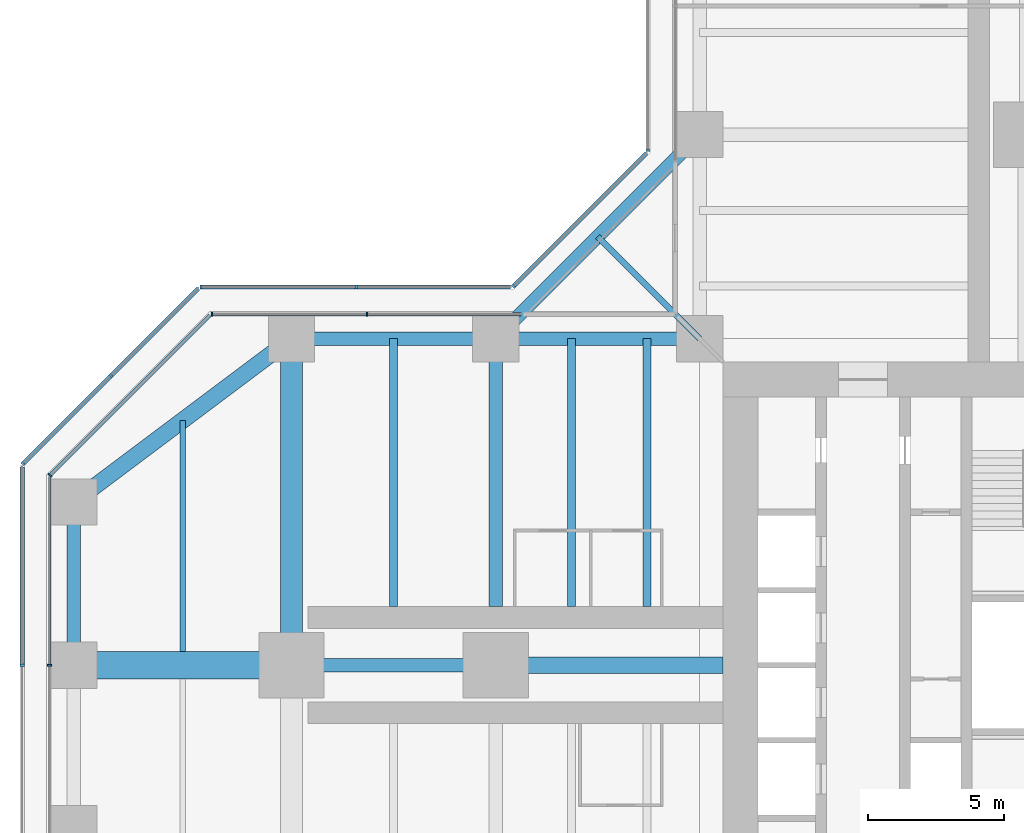
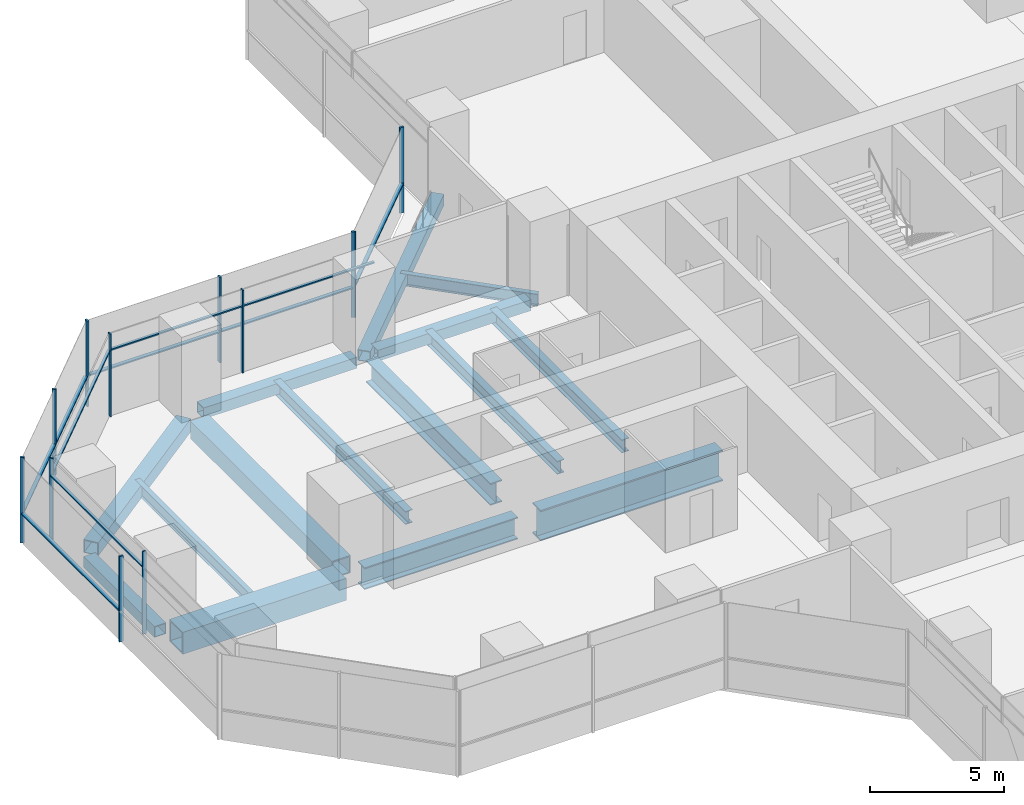
# One storey, part 8 of 22: 21 members, 15 beams, 8 elements without a shape of their own.
"""IFC4 building model written with IfcOpenShell, lengths in metres."""

import ifcopenshell
import ifcopenshell.guid

model = None  # the IFC model being written
_history = None  # IfcOwnerHistory: only IFC2X3 demands one
_inside = {}  # id of a spatial element -> (the spatial element, [elements in it])
_under = {}  # id of a project, library or spatial element -> (it, [spatial elements below it])
_declared = {}  # id of a project -> (the project, [libraries it declares])
_typed = {}  # id of a type object -> (the type object, [elements of that type])
_made_of = {}  # id of a material, layer set ... -> (it, [elements and type objects made of it])


def new_model(schema):
    """Start an empty IFC model of exactly this schema.

    Asked for "IFC4X3", IfcOpenShell would pick the latest addendum, in which some entities
    have other attributes; the version numbers below select the first issue.
    IFC2X3 requires an IfcOwnerHistory on every rooted entity: one is made here for all.
    """
    global model, _history
    if schema == "IFC4X3":
        model = ifcopenshell.file(schema_version=(4, 3, 0, 0))
    else:
        model = ifcopenshell.file(schema=schema)
    _inside.clear()
    _under.clear()
    _declared.clear()
    _typed.clear()
    _made_of.clear()
    _history = None
    if model.schema == "IFC2X3":
        org = make("IfcOrganization", Name="unknown")
        user = make(
            "IfcPersonAndOrganization",
            ThePerson=make("IfcPerson", FamilyName="unknown"),
            TheOrganization=org,
        )
        app = make(
            "IfcApplication",
            ApplicationDeveloper=org,
            Version="unknown",
            ApplicationFullName="unknown",
            ApplicationIdentifier="unknown",
        )
        _history = make(
            "IfcOwnerHistory",
            OwningUser=user,
            OwningApplication=app,
            ChangeAction="ADDED",
            CreationDate=0,
        )
    return model


def make(cls, **values):
    """One entity of the class cls with the attributes given. An attribute that is None is left unset."""
    return model.create_entity(
        cls, **{name: value for name, value in values.items() if value is not None}
    )


def rooted(cls, **values):
    """An entity with a GlobalId (a new one), such as an element, a storey or a relation."""
    return make(cls, GlobalId=ifcopenshell.guid.new(), OwnerHistory=_history, **values)


def si_unit(unit_type, name, prefix=None):
    """IfcSIUnit, for example si_unit("LENGTHUNIT", "METRE", prefix="MILLI")."""
    return make("IfcSIUnit", UnitType=unit_type, Prefix=prefix, Name=name)


def assignment(units):
    """IfcUnitAssignment: the units of a project."""
    return None if units is None else make("IfcUnitAssignment", Units=units)


def point(xyz):
    """IfcCartesianPoint."""
    return None if xyz is None else make("IfcCartesianPoint", Coordinates=xyz)


def direction(xyz):
    """IfcDirection."""
    return None if xyz is None else make("IfcDirection", DirectionRatios=xyz)


def frame(location, z_axis=None, x_axis=None):
    """IfcAxis2Placement3D, a coordinate frame: its origin and axes. An axis left out is left unset."""
    return make(
        "IfcAxis2Placement3D",
        Location=point(location),
        Axis=direction(z_axis),
        RefDirection=direction(x_axis),
    )


def frame_2d(location, x_axis=None):
    """IfcAxis2Placement2D, a coordinate frame in the plane: its origin and x axis."""
    return make(
        "IfcAxis2Placement2D", Location=point(location), RefDirection=direction(x_axis)
    )


def origin():
    """The frame at (0, 0, 0) with its axes left unset."""
    return frame((0.0, 0.0, 0.0))


def origin_2d():
    """The frame at (0, 0) in the plane with its x axis left unset."""
    return frame_2d((0.0, 0.0))


def place(relative_to, where):
    """IfcLocalPlacement: puts the frame where relative to a parent placement (None: the world)."""
    return make(
        "IfcLocalPlacement", PlacementRelTo=relative_to, RelativePlacement=where
    )


def context(
    kind, dimensions, precision=None, world=None, true_north=None, identifier=None
):
    """IfcGeometricRepresentationContext, for example the 3D "Model" context."""
    return make(
        "IfcGeometricRepresentationContext",
        ContextIdentifier=identifier,
        ContextType=kind,
        CoordinateSpaceDimension=dimensions,
        Precision=precision,
        WorldCoordinateSystem=world,
        TrueNorth=true_north,
    )


def subcontext(parent, identifier, kind, view, scale=None):
    """IfcGeometricRepresentationSubContext, for example "Body" below "Model"."""
    return make(
        "IfcGeometricRepresentationSubContext",
        ContextIdentifier=identifier,
        ContextType=kind,
        ParentContext=parent,
        TargetScale=scale,
        TargetView=view,
    )


def project(units=None, contexts=None):
    """IfcProject with its units and contexts."""
    return rooted(
        "IfcProject",
        Name="project",
        RepresentationContexts=contexts,
        UnitsInContext=assignment(units),
    )


def spatial(cls, under=None, at=None, **own):
    """A site, building, storey or space (cls), placed at a placement, below another one or the project."""
    s = rooted(cls, ObjectPlacement=at, **own)
    if under is not None:
        _under.setdefault(under.id(), (under, []))[1].append(s)
    return s


def profile(cls, at=None, kind="AREA", **sizes):
    """A parametric profile (cls). Its sizes go by their IFC names, for example OverallWidth=200.0."""
    return make(cls, ProfileType=kind, Position=at, **sizes)


def rectangle(**sizes):
    """IfcRectangleProfileDef."""
    return profile("IfcRectangleProfileDef", **sizes)


def hollow_rectangle(**sizes):
    """IfcRectangleHollowProfileDef."""
    return profile("IfcRectangleHollowProfileDef", **sizes)


def i_section(**sizes):
    """IfcIShapeProfileDef."""
    return profile("IfcIShapeProfileDef", **sizes)


def extrude(swept, where, along, depth):
    """IfcExtrudedAreaSolid: the profile swept, set in the frame where, extruded along a direction by depth."""
    return make(
        "IfcExtrudedAreaSolid",
        SweptArea=swept,
        Position=where,
        ExtrudedDirection=direction(along),
        Depth=depth,
    )


def shape(context_of_items, identifier, shape_type, items):
    """IfcShapeRepresentation: the items that make up one representation, for example the "Body"."""
    return make(
        "IfcShapeRepresentation",
        ContextOfItems=context_of_items,
        RepresentationIdentifier=identifier,
        RepresentationType=shape_type,
        Items=items,
    )


def material(Name=None, Category=None):
    """IfcMaterial."""
    return make("IfcMaterial", Name=Name, Category=Category)


def material_profile(
    of_material, cross_section, Name=None, Category=None, Priority=None
):
    """IfcMaterialProfile: a cross section and its material."""
    return make(
        "IfcMaterialProfile",
        Name=Name,
        Material=of_material,
        Profile=cross_section,
        Priority=Priority,
        Category=Category,
    )


def profile_set(profiles, Name=None, composite=None):
    """IfcMaterialProfileSet."""
    return make(
        "IfcMaterialProfileSet",
        Name=Name,
        MaterialProfiles=profiles,
        CompositeProfile=composite,
    )


def made_of(thing, what):
    """Note that an element or type object is made of a material, layer set ...; save() writes the relation."""
    if what is not None:
        _made_of.setdefault(what.id(), (what, []))[1].append(thing)
    return thing


def type_object(cls, material=None, **own):
    """A type object (cls), such as IfcWallType, which elements share."""
    return made_of(rooted(cls, **own), material)


def element(
    cls,
    number,
    at=None,
    inside=None,
    cuts=None,
    type_object=None,
    material=None,
    context=None,
    identifier="Body",
    shape_type=None,
    held_by="IfcProductDefinitionShape",
    body=None,
    shapes=None,
    **own,
):
    """One element of the class cls, such as IfcWall. Its Tag is "e" and its number.

    at: its placement. inside: the storey or other place that contains it. cuts: it is an
    opening in that element (IfcRelVoidsElement). A single representation is given by context,
    identifier, shape_type and body (its items); several are given by shapes. held_by: the class
    of the entity that holds the representations. save() writes the other relations.
    """
    e = rooted(cls, Tag="e%d" % number, ObjectPlacement=at, **own)
    if body is not None:
        shapes = [shape(context, identifier, shape_type, body)]
    if shapes is not None:
        e.Representation = make(held_by, Representations=shapes)
    if inside is not None:
        _inside.setdefault(inside.id(), (inside, []))[1].append(e)
    if cuts is not None:
        rooted(
            "IfcRelVoidsElement", RelatingBuildingElement=cuts, RelatedOpeningElement=e
        )
    if type_object is not None:
        _typed.setdefault(type_object.id(), (type_object, []))[1].append(e)
    return made_of(e, material)


def aggregate(whole, parts):
    """IfcRelAggregates: a whole, such as a stair, and the parts it consists of."""
    return rooted("IfcRelAggregates", RelatingObject=whole, RelatedObjects=parts)


def save(model, path):
    """Write the relations noted so far, then the file.

    IfcRelAggregates (storeys below a building ...), IfcRelContainedInSpatialStructure (elements
    in a storey), IfcRelDefinesByType, IfcRelAssociatesMaterial and IfcRelDeclares: one each for
    every whole, place, type object, material and project.
    """
    for whole, parts in _under.values():
        aggregate(whole, parts)
    for where, things in _inside.values():
        rooted(
            "IfcRelContainedInSpatialStructure",
            RelatedElements=things,
            RelatingStructure=where,
        )
    for kind, things in _typed.values():
        rooted("IfcRelDefinesByType", RelatedObjects=things, RelatingType=kind)
    for what, things in _made_of.values():
        rooted("IfcRelAssociatesMaterial", RelatedObjects=things, RelatingMaterial=what)
    for by, libraries in _declared.values():
        rooted("IfcRelDeclares", RelatingContext=by, RelatedDefinitions=libraries)
    model.write(path)


model = new_model("IFC4")

# Units and contexts
model_context = context("Model", 3, precision=1e-05, world=origin(), true_north=direction((0.0, 1.0)))
body_context = subcontext(model_context, "Body", "Model", "MODEL_VIEW")
ifc_project = project(units=[si_unit("LENGTHUNIT", "METRE"), si_unit("AREAUNIT", "SQUARE_METRE"), si_unit("VOLUMEUNIT", "CUBIC_METRE"), si_unit("PLANEANGLEUNIT", "RADIAN"), si_unit("MASSUNIT", "GRAM", prefix="KILO")], contexts=[model_context])

# Site, building, storey
site_placement = place(None, origin())
site = spatial("IfcSite", under=ifc_project, at=site_placement, CompositionType="ELEMENT")
building_placement = place(site_placement, origin())
building = spatial("IfcBuilding", under=site, at=building_placement, Name="Mizan Broadcast Tower", CompositionType="ELEMENT")
storey_placement = place(building_placement, frame((0.0, 0.0, 98.10009765625)))
storey = spatial("IfcBuildingStorey", under=building, at=storey_placement, Name="L21", CompositionType="ELEMENT", Elevation=98.10009765625)

# Beams
ifc_material_1 = material(Name="Steel S355", Category="steel")
ifc_material_profile_1 = material_profile(ifc_material_1, hollow_rectangle(XDim=0.5, YDim=0.5, WallThickness=0.030029296875, at=origin_2d()), Name="BOX 500x500x30")
ifc_profile_set_1 = profile_set([ifc_material_profile_1], Name="Steel S355")
beam_type_1 = type_object("IfcBeamType", Name="EDGE BEAM BOX 500x500x30", PredefinedType="SPANDREL", material=ifc_profile_set_1)
for number, where, z_axis, x_axis, name in (
    (1, (-12.449951171875, 12.0, -0.380126953125), (-1.0, 0.0, 0.0), (0.0, -1.0, 0.0), "Edge beam BOX 500x500x30 L21 west arm"),
    (2, (-19.949951171875, 12.0, -0.380126953125), (-1.0, 0.0, 0.0), (0.0, -1.0, 0.0), "Edge beam BOX 500x500x30 L21 west arm"),
):
    element("IfcBeam", number, at=place(storey_placement, frame(where, z_axis=z_axis, x_axis=x_axis)), inside=storey, type_object=beam_type_1, Name=name, PredefinedType="SPANDREL", context=body_context, shape_type="SweptSolid", body=[
        extrude(hollow_rectangle(XDim=0.5, YDim=0.5, WallThickness=0.030029296875, at=origin_2d()), origin(), (0.0, 0.0, 1.0), 6.60009765625),
    ])
beam_1_placement = place(storey_placement, frame((-35.0, 5.639892578125, -0.380126953125), z_axis=(0.0, -1.0, 0.0), x_axis=(1.0, 0.0, 0.0)))
element("IfcBeam", 3, at=beam_1_placement, inside=storey, type_object=beam_type_1, Name="Edge beam BOX 500x500x30 L21 west arm", PredefinedType="SPANDREL", context=body_context, shape_type="SweptSolid", body=[
    extrude(hollow_rectangle(XDim=0.5, YDim=0.5, WallThickness=0.030029296875, at=origin_2d()), origin(), (0.0, 0.0, 1.0), 5.27978515625),
])
beam_2_placement = place(storey_placement, frame((-12.0, 19.5, -0.380126953125), z_axis=(-0.707106781187, -0.707106781187, 0.0), x_axis=(0.707106781187, -0.707106781187, 0.0)))
element("IfcBeam", 4, at=beam_2_placement, inside=storey, type_object=beam_type_1, Name="Winter garden edge beam L21 N", PredefinedType="SPANDREL", context=body_context, shape_type="SweptSolid", body=[
    extrude(hollow_rectangle(XDim=0.5, YDim=0.5, WallThickness=0.030029296875, at=origin_2d()), origin(), (0.0, 0.0, 1.0), 10.606689453125),
])
ifc_material_2 = material(Name="Steel S355", Category="steel")
ifc_material_profile_2 = material_profile(ifc_material_2, hollow_rectangle(XDim=0.60009765625, YDim=0.60009765625, WallThickness=0.030029296875, at=origin_2d()), Name="BOX 600x600x30")
ifc_profile_set_2 = profile_set([ifc_material_profile_2], Name="Steel S355")
beam_type_2 = type_object("IfcBeamType", Name="EDGE BEAM BOX 600x600x30", PredefinedType="SPANDREL", material=ifc_profile_set_2)
beam_3_placement = place(storey_placement, frame((-27.47998046875, 11.639892578125, -0.43017578125), z_axis=(-0.800013316712, -0.599982243973, 0.0), x_axis=(0.599982243973, -0.800013316712, 0.0)))
element("IfcBeam", 5, at=beam_3_placement, inside=storey, type_object=beam_type_2, Name="Edge beam BOX 600x600x30 L21 west arm", PredefinedType="SPANDREL", context=body_context, shape_type="SweptSolid", body=[
    extrude(hollow_rectangle(XDim=0.60009765625, YDim=0.60009765625, WallThickness=0.030029296875, at=origin_2d()), origin(), (0.0, 0.0, 1.0), 8.7998046875),
])
ifc_material_3 = material(Name="Steel S460", Category="steel")
ifc_material_profile_3 = material_profile(ifc_material_3, hollow_rectangle(XDim=1.0, YDim=1.0, WallThickness=0.06005859375, at=origin_2d()), Name="BOX 1000x1000x60")
ifc_profile_set_3 = profile_set([ifc_material_profile_3], Name="Steel S460")
beam_type_3 = type_object("IfcBeamType", Name="GIRDER BOX 1000x1000x60", PredefinedType="BEAM", material=ifc_profile_set_3)
beam_4_placement = place(storey_placement, frame((-27.47998046875, 0.0, -0.630126953125), z_axis=(-1.0, 0.0, 0.0), x_axis=(0.0, -1.0, 0.0)))
element("IfcBeam", 6, at=beam_4_placement, inside=storey, type_object=beam_type_3, Name="Girder BOX 1000x1000x60 L21 west arm", PredefinedType="BEAM", context=body_context, shape_type="SweptSolid", body=[
    extrude(hollow_rectangle(XDim=1.0, YDim=1.0, WallThickness=0.06005859375, at=origin_2d()), origin(), (0.0, 0.0, 1.0), 7.0400390625),
])
ifc_material_4 = material(Name="Steel S460", Category="steel")
ifc_material_profile_4 = material_profile(ifc_material_4, hollow_rectangle(XDim=0.800048828125, YDim=0.800048828125, WallThickness=0.050048828125, at=origin_2d()), Name="BOX 800x800x50")
ifc_profile_set_4 = profile_set([ifc_material_profile_4], Name="Steel S460")
beam_type_4 = type_object("IfcBeamType", Name="GIRDER BOX 800x800x50", PredefinedType="BEAM", material=ifc_profile_set_4)
beam_5_placement = place(storey_placement, frame((-27.0, 11.280029296875, -0.530029296875), z_axis=(0.0, -1.0, 0.0), x_axis=(1.0, 0.0, 0.0)))
element("IfcBeam", 7, at=beam_5_placement, inside=storey, type_object=beam_type_4, Name="Girder BOX 800x800x50 L21 west arm", PredefinedType="BEAM", context=body_context, shape_type="SweptSolid", body=[
    extrude(hollow_rectangle(XDim=0.800048828125, YDim=0.800048828125, WallThickness=0.050048828125, at=origin_2d()), origin(), (0.0, 0.0, 1.0), 10.56005859375),
])
ifc_material_5 = material(Name="Steel S460", Category="steel")
ifc_material_profile_5 = material_profile(ifc_material_5, i_section(OverallWidth=0.5, OverallDepth=1.0, WebThickness=0.02490234375, FlangeThickness=0.050048828125, at=origin_2d()), Name="WPG 1000x500")
ifc_profile_set_5 = profile_set([ifc_material_profile_5], Name="Steel S460")
beam_type_5 = type_object("IfcBeamType", Name="GIRDER WPG 1000x500", PredefinedType="BEAM", material=ifc_profile_set_5)
beam_6_placement = place(storey_placement, frame((-19.949951171875, 0.0, -0.630126953125), z_axis=(-1.0, 0.0, 0.0), x_axis=(0.0, -1.0, 0.0)))
element("IfcBeam", 8, at=beam_6_placement, inside=storey, type_object=beam_type_5, Name="Girder WPG 1000x500 L21 west arm", PredefinedType="BEAM", context=body_context, shape_type="SweptSolid", body=[
    extrude(i_section(OverallWidth=0.5, OverallDepth=1.0, WebThickness=0.02490234375, FlangeThickness=0.050048828125, at=origin_2d()), origin(), (0.0, 0.0, 1.0), 6.60009765625),
])
beam_7_placement = place(storey_placement, frame((-19.5, 11.408935546875, -0.630126953125), z_axis=(0.0, -1.0, 0.0), x_axis=(1.0, 0.0, 0.0)))
element("IfcBeam", 9, at=beam_7_placement, inside=storey, type_object=beam_type_5, Name="Girder WPG 1000x500 L21 west arm", PredefinedType="BEAM", context=body_context, shape_type="SweptSolid", body=[
    extrude(i_section(OverallWidth=0.5, OverallDepth=1.0, WebThickness=0.02490234375, FlangeThickness=0.050048828125, at=origin_2d()), origin(), (0.0, 0.0, 1.0), 9.259033203125),
])
ifc_material_6 = material(Name="Steel S460", Category="steel")
ifc_material_profile_6 = material_profile(ifc_material_6, i_section(OverallWidth=0.60009765625, OverallDepth=1.39990234375, WebThickness=0.02490234375, FlangeThickness=0.06005859375, at=origin_2d()), Name="WPG 1400x600")
ifc_profile_set_6 = profile_set([ifc_material_profile_6], Name="Steel S460")
beam_type_6 = type_object("IfcBeamType", Name="GIRDER WPG 1400x600", PredefinedType="BEAM", material=ifc_profile_set_6)
beam_8_placement = place(storey_placement, frame((-11.14990234375, 0.0, -0.830078125), z_axis=(-1.0, 0.0, 0.0), x_axis=(0.0, -1.0, 0.0)))
element("IfcBeam", 10, at=beam_8_placement, inside=storey, type_object=beam_type_6, Name="Girder WPG 1400x600 L21 west arm", PredefinedType="BEAM", context=body_context, shape_type="SweptSolid", body=[
    extrude(i_section(OverallWidth=0.60009765625, OverallDepth=1.39990234375, WebThickness=0.02490234375, FlangeThickness=0.06005859375, at=origin_2d()), origin(), (0.0, 0.0, 1.0), 7.84912109375),
])

# Curtain wall, members
ifc_material_7 = material(Name="Aluminium framed glazing", Category="aluminium")
curtain_wall_type_1 = type_object("IfcCurtainWallType", Name="INNER SKIN LOW ZONE", PredefinedType="USERDEFINED", material=ifc_material_7)
curtain_wall_1_placement = place(storey_placement, origin())
curtain_wall_1 = element("IfcCurtainWall", 11, at=curtain_wall_1_placement, inside=storey, type_object=curtain_wall_type_1, Name="Inner skin low zone L21 W side", ObjectType="INNER SKIN LOW ZONE", PredefinedType="USERDEFINED")
ifc_material_8 = material(Name="Aluminium, pale anodised", Category="aluminium")
ifc_material_profile_7 = material_profile(ifc_material_8, rectangle(XDim=0.159912109375, YDim=0.06005859375, at=origin_2d()), Name="MULLION 160x60")
ifc_profile_set_7 = profile_set([ifc_material_profile_7], Name="Aluminium, pale anodised")
member_type_1 = type_object("IfcMemberType", Name="INNER SKIN MULLION 60x160", PredefinedType="MULLION", material=ifc_profile_set_7)
member_1_placement = place(storey_placement, frame((-24.229248046875, 12.89990234375, 0.0), z_axis=(0.0, 0.0, 1.0), x_axis=(0.0, -1.0, 0.0)))
member_1 = element("IfcMember", 12, at=member_1_placement, type_object=member_type_1, Name="Inner skin low zone L21 W side mullion 2", PredefinedType="MULLION", context=body_context, shape_type="SweptSolid", body=[
    extrude(rectangle(XDim=0.159912109375, YDim=0.06005859375, at=origin_2d()), origin(), (0.0, 0.0, 1.0), 3.77001953125),
])
member_2_placement = place(storey_placement, frame((-29.928466796875, 12.89990234375, 0.0), z_axis=(0.0, 0.0, 1.0), x_axis=(0.0, -1.0, 0.0)))
member_2 = element("IfcMember", 13, at=member_2_placement, type_object=member_type_1, Name="Inner skin low zone L21 W side mullion 3", PredefinedType="MULLION", context=body_context, shape_type="SweptSolid", body=[
    extrude(rectangle(XDim=0.159912109375, YDim=0.06005859375, at=origin_2d()), origin(), (0.0, 0.0, 1.0), 3.77001953125),
])

# Curtain wall, member
curtain_wall_2_placement = place(storey_placement, origin())
curtain_wall_2 = element("IfcCurtainWall", 14, at=curtain_wall_2_placement, inside=storey, type_object=curtain_wall_type_1, Name="Inner skin low zone L21 W chamfer", ObjectType="INNER SKIN LOW ZONE", PredefinedType="USERDEFINED")
member_3_placement = place(storey_placement, frame((-35.87890625, 6.979736328125, 0.0), z_axis=(0.0, 0.0, 1.0), x_axis=(0.707106781187, -0.707106781187, 0.0)))
member_3 = element("IfcMember", 15, at=member_3_placement, type_object=member_type_1, Name="Inner skin low zone L21 W chamfer mullion 2", PredefinedType="MULLION", context=body_context, shape_type="SweptSolid", body=[
    extrude(rectangle(XDim=0.159912109375, YDim=0.06005859375, at=origin_2d()), origin(), (0.0, 0.0, 1.0), 3.77001953125),
])

curtain_wall_3_placement = place(storey_placement, origin())
curtain_wall_3 = element("IfcCurtainWall", 16, at=curtain_wall_3_placement, inside=storey, type_object=curtain_wall_type_1, Name="Inner skin low zone L21 W end", ObjectType="INNER SKIN LOW ZONE", PredefinedType="USERDEFINED")
member_4_placement = place(storey_placement, frame((-35.89990234375, 0.0, 0.0), z_axis=(0.0, 0.0, 1.0), x_axis=(1.0, 0.0, 0.0)))
member_4 = element("IfcMember", 17, at=member_4_placement, type_object=member_type_1, Name="Inner skin low zone L21 W end mullion 2", PredefinedType="MULLION", context=body_context, shape_type="SweptSolid", body=[
    extrude(rectangle(XDim=0.159912109375, YDim=0.06005859375, at=origin_2d()), origin(), (0.0, 0.0, 1.0), 3.77001953125),
])

# Member
ifc_material_9 = material(Name="Aluminium, pale anodised", Category="aluminium")
ifc_material_profile_8 = material_profile(ifc_material_9, rectangle(XDim=0.1201171875, YDim=0.06005859375, at=origin_2d()), Name="TRANSOM 120x60")
ifc_profile_set_8 = profile_set([ifc_material_profile_8], Name="Aluminium, pale anodised")
member_type_2 = type_object("IfcMemberType", Name="INNER SKIN TRANSOM 60x120", PredefinedType="USERDEFINED", material=ifc_profile_set_8)
member_5_placement = place(storey_placement, frame((-18.56005859375, 12.89990234375, 3.02978515625), z_axis=(-1.0, 0.0, 0.0), x_axis=(0.0, -1.0, 0.0)))
member_5 = element("IfcMember", 18, at=member_5_placement, type_object=member_type_2, Name="Inner skin low zone L21 W side transom 1.1", ObjectType="TRANSOM", PredefinedType="USERDEFINED", context=body_context, shape_type="SweptSolid", body=[
    extrude(rectangle(XDim=0.1201171875, YDim=0.06005859375, at=origin_2d()), origin(), (0.0, 0.0, 1.0), 5.63916015625),
])

member_6_placement = place(storey_placement, frame((-24.25927734375, 12.89990234375, 3.02978515625), z_axis=(-1.0, 0.0, 0.0), x_axis=(0.0, -1.0, 0.0)))
member_6 = element("IfcMember", 19, at=member_6_placement, type_object=member_type_2, Name="Inner skin low zone L21 W side transom 2.1", ObjectType="TRANSOM", PredefinedType="USERDEFINED", context=body_context, shape_type="SweptSolid", body=[
    extrude(rectangle(XDim=0.1201171875, YDim=0.06005859375, at=origin_2d()), origin(), (0.0, 0.0, 1.0), 5.639404296875),
])

aggregate(curtain_wall_1, [member_1, member_2, member_5, member_6])

member_7_placement = place(storey_placement, frame((-30.0009765625, 12.857666015625, 3.02978515625), z_axis=(-0.707106781187, -0.707106781187, 0.0), x_axis=(0.707106781187, -0.707106781187, 0.0)))
member_7 = element("IfcMember", 20, at=member_7_placement, type_object=member_type_2, Name="Inner skin low zone L21 W chamfer transom 1.1", ObjectType="TRANSOM", PredefinedType="USERDEFINED", context=body_context, shape_type="SweptSolid", body=[
    extrude(rectangle(XDim=0.1201171875, YDim=0.06005859375, at=origin_2d()), origin(), (0.0, 0.0, 1.0), 8.28271484375),
])

aggregate(curtain_wall_2, [member_3, member_7])

member_8_placement = place(storey_placement, frame((-35.89990234375, 6.898681640625, 3.02978515625), z_axis=(0.0, -1.0, 0.0), x_axis=(1.0, 0.0, 0.0)))
member_8 = element("IfcMember", 21, at=member_8_placement, type_object=member_type_2, Name="Inner skin low zone L21 W end transom 1.1", ObjectType="TRANSOM", PredefinedType="USERDEFINED", context=body_context, shape_type="SweptSolid", body=[
    extrude(rectangle(XDim=0.1201171875, YDim=0.06005859375, at=origin_2d()), origin(), (0.0, 0.0, 1.0), 6.86865234375),
])

aggregate(curtain_wall_3, [member_4, member_8])

# Curtain wall, member
ifc_material_10 = material(Name="Aluminium framed glazing", Category="aluminium")
curtain_wall_type_2 = type_object("IfcCurtainWallType", Name="OUTER SKIN", PredefinedType="USERDEFINED", material=ifc_material_10)
curtain_wall_4_placement = place(storey_placement, origin())
curtain_wall_4 = element("IfcCurtainWall", 22, at=curtain_wall_4_placement, inside=storey, type_object=curtain_wall_type_2, Name="Outer skin L21 N side", ObjectType="OUTER SKIN", PredefinedType="USERDEFINED")
ifc_material_11 = material(Name="Aluminium, pale anodised", Category="aluminium")
ifc_material_profile_9 = material_profile(ifc_material_11, rectangle(XDim=0.159912109375, YDim=0.080078125, at=origin_2d()), Name="MULLION 160x80")
ifc_profile_set_9 = profile_set([ifc_material_profile_9], Name="Aluminium, pale anodised")
member_type_3 = type_object("IfcMemberType", Name="OUTER SKIN MULLION 80x160", PredefinedType="MULLION", material=ifc_profile_set_9)
member_9_placement = place(storey_placement, frame((-13.89990234375, 18.912841796875, 0.0), z_axis=(0.0, 0.0, 1.0), x_axis=(1.0, 0.0, 0.0)))
member_9 = element("IfcMember", 23, at=member_9_placement, type_object=member_type_3, Name="Outer skin L21 N side mullion 3", PredefinedType="MULLION", context=body_context, shape_type="SweptSolid", body=[
    extrude(rectangle(XDim=0.159912109375, YDim=0.080078125, at=origin_2d()), origin(), (0.0, 0.0, 1.0), 3.89990234375),
])
aggregate(curtain_wall_4, [member_9])

curtain_wall_5_placement = place(storey_placement, origin())
curtain_wall_5 = element("IfcCurtainWall", 24, at=curtain_wall_5_placement, inside=storey, type_object=curtain_wall_type_2, Name="Outer skin L21 W chamfer", ObjectType="OUTER SKIN", PredefinedType="USERDEFINED")
member_10_placement = place(storey_placement, frame((-18.844482421875, 13.92822265625, 0.0), z_axis=(0.0, 0.0, 1.0), x_axis=(0.707106781187, -0.707106781187, 0.0)))
member_10 = element("IfcMember", 25, at=member_10_placement, type_object=member_type_3, Name="Outer skin L21 W chamfer mullion 2", PredefinedType="MULLION", context=body_context, shape_type="SweptSolid", body=[
    extrude(rectangle(XDim=0.159912109375, YDim=0.080078125, at=origin_2d()), origin(), (0.0, 0.0, 1.0), 3.89990234375),
])

# Curtain wall, members
curtain_wall_6_placement = place(storey_placement, origin())
curtain_wall_6 = element("IfcCurtainWall", 26, at=curtain_wall_6_placement, inside=storey, type_object=curtain_wall_type_2, Name="Outer skin L21 W side", ObjectType="OUTER SKIN", PredefinedType="USERDEFINED")
member_11_placement = place(storey_placement, frame((-24.622802734375, 13.89990234375, 0.0), z_axis=(0.0, 0.0, 1.0), x_axis=(0.0, -1.0, 0.0)))
member_11 = element("IfcMember", 27, at=member_11_placement, type_object=member_type_3, Name="Outer skin L21 W side mullion 2", PredefinedType="MULLION", context=body_context, shape_type="SweptSolid", body=[
    extrude(rectangle(XDim=0.159912109375, YDim=0.080078125, at=origin_2d()), origin(), (0.0, 0.0, 1.0), 3.89990234375),
])
member_12_placement = place(storey_placement, frame((-30.332763671875, 13.89990234375, 0.0), z_axis=(0.0, 0.0, 1.0), x_axis=(0.0, -1.0, 0.0)))
member_12 = element("IfcMember", 28, at=member_12_placement, type_object=member_type_3, Name="Outer skin L21 W side mullion 3", PredefinedType="MULLION", context=body_context, shape_type="SweptSolid", body=[
    extrude(rectangle(XDim=0.159912109375, YDim=0.080078125, at=origin_2d()), origin(), (0.0, 0.0, 1.0), 3.89990234375),
])

curtain_wall_7_placement = place(storey_placement, origin())
curtain_wall_7 = element("IfcCurtainWall", 29, at=curtain_wall_7_placement, inside=storey, type_object=curtain_wall_type_2, Name="Outer skin L21 W chamfer", ObjectType="OUTER SKIN", PredefinedType="USERDEFINED")
member_13_placement = place(storey_placement, frame((-33.636474609375, 10.636474609375, 0.0), z_axis=(0.0, 0.0, 1.0), x_axis=(0.707106781187, -0.707106781187, 0.0)))
member_13 = element("IfcMember", 30, at=member_13_placement, type_object=member_type_3, Name="Outer skin L21 W chamfer mullion 2", PredefinedType="MULLION", context=body_context, shape_type="SweptSolid", body=[
    extrude(rectangle(XDim=0.159912109375, YDim=0.080078125, at=origin_2d()), origin(), (0.0, 0.0, 1.0), 3.89990234375),
])
member_14_placement = place(storey_placement, frame((-36.871826171875, 7.401123046875, 0.0), z_axis=(0.0, 0.0, 1.0), x_axis=(0.707106781187, -0.707106781187, 0.0)))
member_14 = element("IfcMember", 31, at=member_14_placement, type_object=member_type_3, Name="Outer skin L21 W chamfer mullion 3", PredefinedType="MULLION", context=body_context, shape_type="SweptSolid", body=[
    extrude(rectangle(XDim=0.159912109375, YDim=0.080078125, at=origin_2d()), origin(), (0.0, 0.0, 1.0), 3.89990234375),
])

# Curtain wall, member
curtain_wall_8_placement = place(storey_placement, origin())
curtain_wall_8 = element("IfcCurtainWall", 32, at=curtain_wall_8_placement, inside=storey, type_object=curtain_wall_type_2, Name="Outer skin L21 W end", ObjectType="OUTER SKIN", PredefinedType="USERDEFINED")
member_15_placement = place(storey_placement, frame((-36.89990234375, 0.0, 0.0), z_axis=(0.0, 0.0, 1.0), x_axis=(1.0, 0.0, 0.0)))
member_15 = element("IfcMember", 33, at=member_15_placement, type_object=member_type_3, Name="Outer skin L21 W end mullion 2", PredefinedType="MULLION", context=body_context, shape_type="SweptSolid", body=[
    extrude(rectangle(XDim=0.159912109375, YDim=0.080078125, at=origin_2d()), origin(), (0.0, 0.0, 1.0), 3.89990234375),
])

# Member
ifc_material_12 = material(Name="Aluminium, pale anodised", Category="aluminium")
ifc_material_profile_10 = material_profile(ifc_material_12, rectangle(XDim=0.159912109375, YDim=0.06005859375, at=origin_2d()), Name="TRANSOM 160x60")
ifc_profile_set_10 = profile_set([ifc_material_profile_10], Name="Aluminium, pale anodised")
member_type_4 = type_object("IfcMemberType", Name="OUTER SKIN TRANSOM 60x160", PredefinedType="USERDEFINED", material=ifc_profile_set_10)
member_16_placement = place(storey_placement, frame((-13.95654296875, 18.816162109375, 1.39990234375), z_axis=(-0.707106781187, -0.707106781187, 0.0), x_axis=(0.707106781187, -0.707106781187, 0.0)))
member_16 = element("IfcMember", 34, at=member_16_placement, type_object=member_type_4, Name="Outer skin L21 W chamfer transom 1.1", ObjectType="TRANSOM", PredefinedType="USERDEFINED", context=body_context, shape_type="SweptSolid", body=[
    extrude(rectangle(XDim=0.159912109375, YDim=0.06005859375, at=origin_2d()), origin(), (0.0, 0.0, 1.0), 6.87255859375),
])

aggregate(curtain_wall_5, [member_10, member_16])

member_17_placement = place(storey_placement, frame((-18.952880859375, 13.89990234375, 1.39990234375), z_axis=(-1.0, 0.0, 0.0), x_axis=(0.0, -1.0, 0.0)))
member_17 = element("IfcMember", 35, at=member_17_placement, type_object=member_type_4, Name="Outer skin L21 W side transom 1.1", ObjectType="TRANSOM", PredefinedType="USERDEFINED", context=body_context, shape_type="SweptSolid", body=[
    extrude(rectangle(XDim=0.159912109375, YDim=0.06005859375, at=origin_2d()), origin(), (0.0, 0.0, 1.0), 5.6298828125),
])

member_18_placement = place(storey_placement, frame((-24.662841796875, 13.89990234375, 1.39990234375), z_axis=(-1.0, 0.0, 0.0), x_axis=(0.0, -1.0, 0.0)))
member_18 = element("IfcMember", 36, at=member_18_placement, type_object=member_type_4, Name="Outer skin L21 W side transom 2.1", ObjectType="TRANSOM", PredefinedType="USERDEFINED", context=body_context, shape_type="SweptSolid", body=[
    extrude(rectangle(XDim=0.159912109375, YDim=0.06005859375, at=origin_2d()), origin(), (0.0, 0.0, 1.0), 5.6298828125),
])

aggregate(curtain_wall_6, [member_11, member_12, member_17, member_18])

member_19_placement = place(storey_placement, frame((-30.429443359375, 13.843505859375, 1.39990234375), z_axis=(-0.707106781187, -0.707106781187, 0.0), x_axis=(0.707106781187, -0.707106781187, 0.0)))
member_19 = element("IfcMember", 37, at=member_19_placement, type_object=member_type_4, Name="Outer skin L21 W chamfer transom 1.1", ObjectType="TRANSOM", PredefinedType="USERDEFINED", context=body_context, shape_type="SweptSolid", body=[
    extrude(rectangle(XDim=0.159912109375, YDim=0.06005859375, at=origin_2d()), origin(), (0.0, 0.0, 1.0), 4.495361328125),
])

member_20_placement = place(storey_placement, frame((-33.664794921875, 10.608154296875, 1.39990234375), z_axis=(-0.707106781187, -0.707106781187, 0.0), x_axis=(0.707106781187, -0.707106781187, 0.0)))
member_20 = element("IfcMember", 38, at=member_20_placement, type_object=member_type_4, Name="Outer skin L21 W chamfer transom 2.1", ObjectType="TRANSOM", PredefinedType="USERDEFINED", context=body_context, shape_type="SweptSolid", body=[
    extrude(rectangle(XDim=0.159912109375, YDim=0.06005859375, at=origin_2d()), origin(), (0.0, 0.0, 1.0), 4.495361328125),
])

aggregate(curtain_wall_7, [member_13, member_14, member_19, member_20])

member_21_placement = place(storey_placement, frame((-36.89990234375, 7.292724609375, 1.39990234375), z_axis=(0.0, -1.0, 0.0), x_axis=(1.0, 0.0, 0.0)))
member_21 = element("IfcMember", 39, at=member_21_placement, type_object=member_type_4, Name="Outer skin L21 W end transom 1.1", ObjectType="TRANSOM", PredefinedType="USERDEFINED", context=body_context, shape_type="SweptSolid", body=[
    extrude(rectangle(XDim=0.159912109375, YDim=0.06005859375, at=origin_2d()), origin(), (0.0, 0.0, 1.0), 7.252685546875),
])

aggregate(curtain_wall_8, [member_15, member_21])

# Beams
ifc_material_13 = material(Name="Steel S355", Category="steel")
ifc_material_profile_11 = material_profile(ifc_material_13, i_section(OverallWidth=0.300048828125, OverallDepth=0.590087890625, WebThickness=0.012939453125, FlangeThickness=0.02490234375, FilletRadius=0.027099609375, at=origin_2d()), Name="HEA 600")
ifc_profile_set_11 = profile_set([ifc_material_profile_11], Name="Steel S355")
beam_type_7 = type_object("IfcBeamType", Name="SECONDARY BEAM HEA 600", PredefinedType="JOIST", material=ifc_profile_set_11)
for number, where, z_axis, x_axis, name in (
    (40, (-13.933349609375, 12.0, -0.425048828125), (0.0, -1.0, 0.0), (1.0, 0.0, 0.0), "Secondary beam HEA 600 L21 west arm"),
    (41, (-16.716552734375, 12.0, -0.425048828125), (0.0, -1.0, 0.0), (1.0, 0.0, 0.0), "Secondary beam HEA 600 L21 west arm"),
    (42, (-23.25, 12.0, -0.425048828125), (0.0, -1.0, 0.0), (1.0, 0.0, 0.0), "Secondary beam HEA 600 L21 west arm"),
):
    element("IfcBeam", number, at=place(storey_placement, frame(where, z_axis=z_axis, x_axis=x_axis)), inside=storey, type_object=beam_type_7, Name=name, PredefinedType="JOIST", context=body_context, shape_type="SweptSolid", body=[
        extrude(i_section(OverallWidth=0.300048828125, OverallDepth=0.590087890625, WebThickness=0.012939453125, FlangeThickness=0.02490234375, FilletRadius=0.027099609375, at=origin_2d()), origin(), (0.0, 0.0, 1.0), 9.85009765625),
    ])
ifc_material_14 = material(Name="Steel S355", Category="steel")
ifc_material_profile_12 = material_profile(ifc_material_14, i_section(OverallWidth=0.2099609375, OverallDepth=0.550048828125, WebThickness=0.010986328125, FlangeThickness=0.01708984375, FilletRadius=0.02392578125, at=origin_2d()), Name="IPE 550")
ifc_profile_set_12 = profile_set([ifc_material_profile_12], Name="Steel S355")
beam_type_8 = type_object("IfcBeamType", Name="SECONDARY BEAM IPE 550", PredefinedType="JOIST", material=ifc_profile_set_12)
beam_9_placement = place(storey_placement, frame((-31.0, 9.0, -0.405029296875), z_axis=(0.0, -1.0, 0.0), x_axis=(1.0, 0.0, 0.0)))
element("IfcBeam", 43, at=beam_9_placement, inside=storey, type_object=beam_type_8, Name="Secondary beam IPE 550 L21 west arm", PredefinedType="JOIST", context=body_context, shape_type="SweptSolid", body=[
    extrude(i_section(OverallWidth=0.2099609375, OverallDepth=0.550048828125, WebThickness=0.010986328125, FlangeThickness=0.01708984375, FilletRadius=0.02392578125, at=origin_2d()), origin(), (0.0, 0.0, 1.0), 8.5),
])
beam_10_placement = place(storey_placement, frame((-12.0, 12.0, -0.405029296875), z_axis=(-0.707106781187, 0.707106781187, 0.0), x_axis=(-0.707106781187, -0.707106781187, 0.0)))
element("IfcBeam", 44, at=beam_10_placement, inside=storey, type_object=beam_type_8, Name="Winter garden beam L21 N", PredefinedType="JOIST", context=body_context, shape_type="SweptSolid", body=[
    extrude(i_section(OverallWidth=0.2099609375, OverallDepth=0.550048828125, WebThickness=0.010986328125, FlangeThickness=0.01708984375, FilletRadius=0.02392578125, at=origin_2d()), origin(), (0.0, 0.0, 1.0), 5.30322265625),
])

save(model, "model.ifc")
